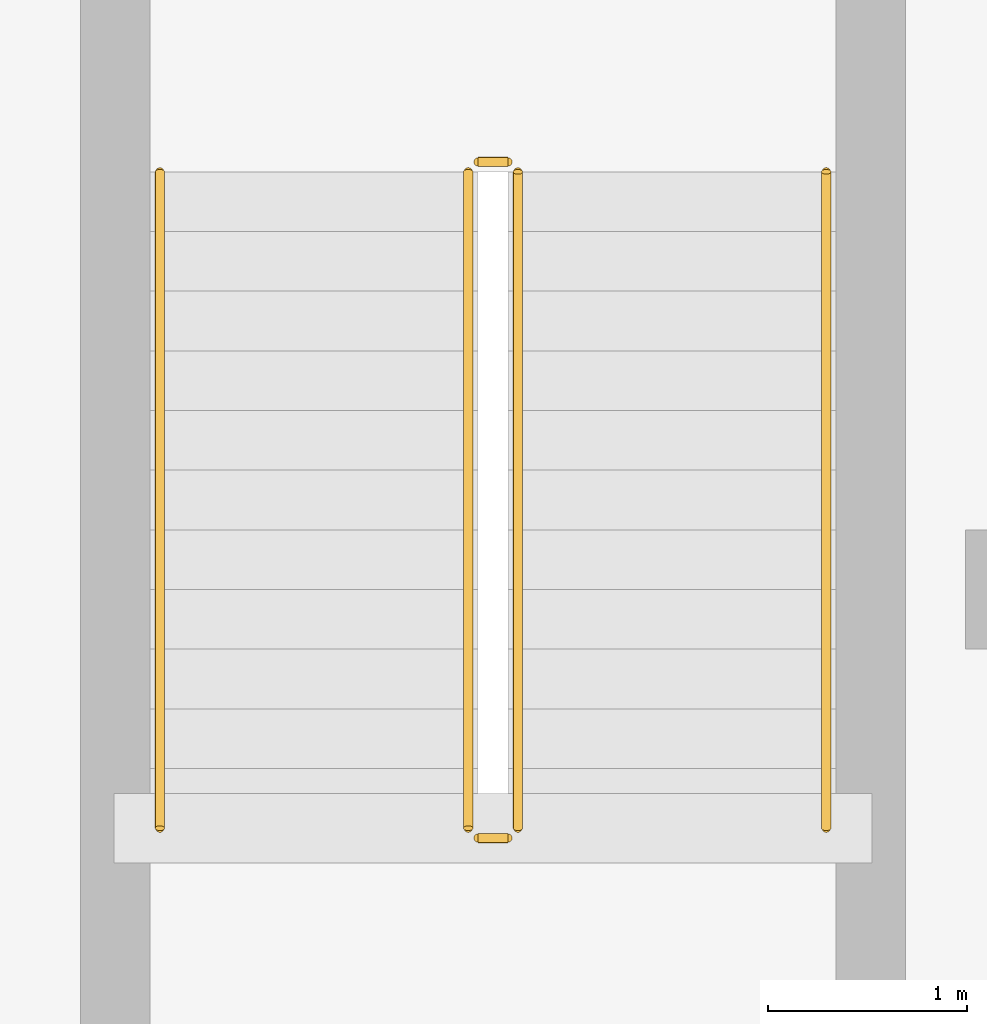
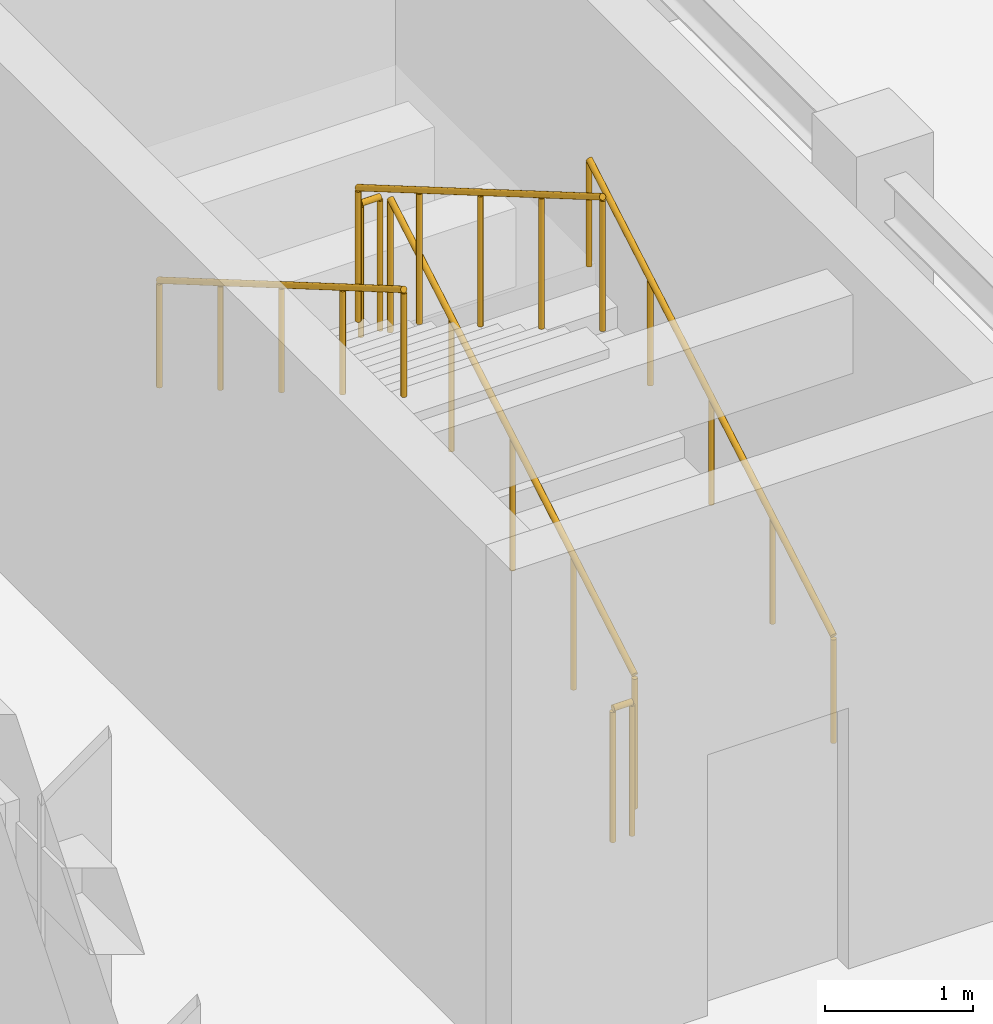
# One storey, part 96 of 104: 6 railings.
"""IFC4 building model written with IfcOpenShell, lengths in metres."""

from ifc_helpers import new_model, si_unit, direction, frame, origin, origin_2d, place, context, subcontext, project, spatial, circle, extrude, material, material_profile, profile_set, type_object, element, save


model = new_model("IFC4")

# Units and contexts
model_context = context("Model", 3, precision=1e-05, world=origin(), true_north=direction((0.0, 1.0)))
body_context = subcontext(model_context, "Body", "Model", "MODEL_VIEW")
ifc_project = project(units=[si_unit("LENGTHUNIT", "METRE"), si_unit("AREAUNIT", "SQUARE_METRE"), si_unit("VOLUMEUNIT", "CUBIC_METRE"), si_unit("PLANEANGLEUNIT", "RADIAN"), si_unit("MASSUNIT", "GRAM", prefix="KILO")], contexts=[model_context])

# Site, building, storey
site_placement = place(None, origin())
site = spatial("IfcSite", under=ifc_project, at=site_placement, CompositionType="ELEMENT")
building_placement = place(site_placement, origin())
building = spatial("IfcBuilding", under=site, at=building_placement, Name="Tazoul Stagehouse", CompositionType="ELEMENT")
storey_placement = place(building_placement, frame((0.0, 0.0, 9.0)))
storey = spatial("IfcBuildingStorey", under=building, at=storey_placement, Name="L02", CompositionType="ELEMENT", Elevation=9.0)

# Railings
ifc_material = material(Name="Brushed Stainless Steel 316L", Category="steel")
ifc_material_profile_1 = material_profile(ifc_material, circle(Radius=0.02392578125, at=origin_2d()), Name="SS RAIL D48")
ifc_profile_set_1 = profile_set([ifc_material_profile_1], Name="Brushed Stainless Steel 316L")
railing_type_1 = type_object("IfcRailingType", Name="Architectural Guardrail H1120", PredefinedType="GUARDRAIL", material=ifc_profile_set_1)
railing_1_placement = place(storey_placement, frame((8.25, 79.39990234375, 0.175048828125)))
element("IfcRailing", 1, at=railing_1_placement, inside=storey, type_object=railing_type_1, Name="L02 ST-06 stair guard 1", PredefinedType="GUARDRAIL", context=body_context, shape_type="SweptSolid", body=[
    extrude(circle(Radius=0.02392578125, at=origin_2d()), frame((0.0, 0.0, 1.09619140625), z_axis=(0.0, 0.863776583165, 0.503874998761), x_axis=(-1.0, 0.0, 0.0)), (0.0, 0.0, 1.0), 3.820556640625),
    extrude(circle(Radius=0.02099609375, at=origin_2d()), origin(), (0.0, 0.0, 1.0), 1.072021484375),
    extrude(circle(Radius=0.02099609375, at=origin_2d()), frame((0.0, 0.824951171875, 0.481201171875)), (0.0, 0.0, 1.0), 1.072021484375),
    extrude(circle(Radius=0.02099609375, at=origin_2d()), frame((0.0, 1.64990234375, 0.96240234375)), (0.0, 0.0, 1.0), 1.072021484375),
    extrude(circle(Radius=0.02099609375, at=origin_2d()), frame((0.0, 2.47509765625, 1.44384765625)), (0.0, 0.0, 1.0), 1.072021484375),
    extrude(circle(Radius=0.02099609375, at=origin_2d()), frame((0.0, 3.300048828125, 1.925048828125)), (0.0, 0.0, 1.0), 1.072021484375),
])
railing_2_placement = place(storey_placement, frame((8.199951171875, 82.75, 2.10009765625)))
element("IfcRailing", 2, at=railing_2_placement, inside=storey, type_object=railing_type_1, Name="L02 ST-06 stair guard 2", PredefinedType="GUARDRAIL", context=body_context, shape_type="SweptSolid", body=[
    extrude(circle(Radius=0.02392578125, at=origin_2d()), frame((0.0, 0.0, 1.09619140625), z_axis=(-1.0, 0.0, 0.0), x_axis=(0.0, -1.0, 0.0)), (0.0, 0.0, 1.0), 0.14990234375),
    extrude(circle(Radius=0.02099609375, at=origin_2d()), origin(), (0.0, 0.0, 1.0), 1.072021484375),
    extrude(circle(Radius=0.02099609375, at=origin_2d()), frame((-0.14990234375, 0.0, 0.0)), (0.0, 0.0, 1.0), 1.072021484375),
])
railing_3_placement = place(storey_placement, frame((8.0, 82.699951171875, 2.27490234375)))
element("IfcRailing", 3, at=railing_3_placement, inside=storey, type_object=railing_type_1, Name="L02 ST-06 stair guard 3", PredefinedType="GUARDRAIL", context=body_context, shape_type="SweptSolid", body=[
    extrude(circle(Radius=0.02392578125, at=origin_2d()), frame((0.0, 0.0, 1.09619140625), z_axis=(0.0, -0.863776583165, 0.503874998761), x_axis=(1.0, 0.0, 0.0)), (0.0, 0.0, 1.0), 3.820556640625),
    extrude(circle(Radius=0.02099609375, at=origin_2d()), origin(), (0.0, 0.0, 1.0), 1.072021484375),
    extrude(circle(Radius=0.02099609375, at=origin_2d()), frame((0.0, -0.824951171875, 0.481201171875)), (0.0, 0.0, 1.0), 1.072021484375),
    extrude(circle(Radius=0.02099609375, at=origin_2d()), frame((0.0, -1.64990234375, 0.96240234375)), (0.0, 0.0, 1.0), 1.072021484375),
    extrude(circle(Radius=0.02099609375, at=origin_2d()), frame((0.0, -2.47509765625, 1.44384765625)), (0.0, 0.0, 1.0), 1.072021484375),
    extrude(circle(Radius=0.02099609375, at=origin_2d()), frame((0.0, -3.300048828125, 1.925048828125)), (0.0, 0.0, 1.0), 1.072021484375),
])
railing_4_placement = place(storey_placement, frame((8.199951171875, 79.35009765625, 0.0)))
element("IfcRailing", 4, at=railing_4_placement, inside=storey, type_object=railing_type_1, Name="L02 ST-06 stair guard 4", PredefinedType="GUARDRAIL", context=body_context, shape_type="SweptSolid", body=[
    extrude(circle(Radius=0.02392578125, at=origin_2d()), frame((0.0, 0.0, 1.09619140625), z_axis=(-1.0, 0.0, 0.0), x_axis=(0.0, -1.0, 0.0)), (0.0, 0.0, 1.0), 0.14990234375),
    extrude(circle(Radius=0.02099609375, at=origin_2d()), origin(), (0.0, 0.0, 1.0), 1.072021484375),
    extrude(circle(Radius=0.02099609375, at=origin_2d()), frame((-0.14990234375, 0.0, 0.0)), (0.0, 0.0, 1.0), 1.072021484375),
])
ifc_material_profile_2 = material_profile(ifc_material, circle(Radius=0.02099609375, at=origin_2d()), Name="SS HANDRAIL D42")
ifc_profile_set_2 = profile_set([ifc_material_profile_2], Name="Brushed Stainless Steel 316L")
railing_type_2 = type_object("IfcRailingType", Name="Continuous Stair Handrail H900", PredefinedType="HANDRAIL", material=ifc_profile_set_2)
railing_5_placement = place(storey_placement, frame((9.800048828125, 79.39990234375, 0.175048828125)))
element("IfcRailing", 5, at=railing_5_placement, inside=storey, type_object=railing_type_2, Name="L02 ST-06 stair handrail 1", PredefinedType="HANDRAIL", context=body_context, shape_type="SweptSolid", body=[
    extrude(circle(Radius=0.02392578125, at=origin_2d()), frame((0.0, 0.0, 0.8759765625), z_axis=(0.0, 0.863776583165, 0.503874998761), x_axis=(-1.0, 0.0, 0.0)), (0.0, 0.0, 1.0), 3.820556640625),
    extrude(circle(Radius=0.02099609375, at=origin_2d()), origin(), (0.0, 0.0, 1.0), 0.851806640625),
    extrude(circle(Radius=0.02099609375, at=origin_2d()), frame((0.0, 0.824951171875, 0.481201171875)), (0.0, 0.0, 1.0), 0.851806640625),
    extrude(circle(Radius=0.02099609375, at=origin_2d()), frame((0.0, 1.64990234375, 0.96240234375)), (0.0, 0.0, 1.0), 0.851806640625),
    extrude(circle(Radius=0.02099609375, at=origin_2d()), frame((0.0, 2.47509765625, 1.44384765625)), (0.0, 0.0, 1.0), 0.851806640625),
    extrude(circle(Radius=0.02099609375, at=origin_2d()), frame((0.0, 3.300048828125, 1.925048828125)), (0.0, 0.0, 1.0), 0.851806640625),
])
railing_6_placement = place(storey_placement, frame((6.449951171875, 82.699951171875, 2.27490234375)))
element("IfcRailing", 6, at=railing_6_placement, inside=storey, type_object=railing_type_2, Name="L02 ST-06 stair handrail 2", PredefinedType="HANDRAIL", context=body_context, shape_type="SweptSolid", body=[
    extrude(circle(Radius=0.02392578125, at=origin_2d()), frame((0.0, 0.0, 0.8759765625), z_axis=(0.0, -0.863776583165, 0.503874998761), x_axis=(1.0, 0.0, 0.0)), (0.0, 0.0, 1.0), 3.820556640625),
    extrude(circle(Radius=0.02099609375, at=origin_2d()), origin(), (0.0, 0.0, 1.0), 0.851806640625),
    extrude(circle(Radius=0.02099609375, at=origin_2d()), frame((0.0, -0.824951171875, 0.481201171875)), (0.0, 0.0, 1.0), 0.851806640625),
    extrude(circle(Radius=0.02099609375, at=origin_2d()), frame((0.0, -1.64990234375, 0.96240234375)), (0.0, 0.0, 1.0), 0.851806640625),
    extrude(circle(Radius=0.02099609375, at=origin_2d()), frame((0.0, -2.47509765625, 1.44384765625)), (0.0, 0.0, 1.0), 0.851806640625),
    extrude(circle(Radius=0.02099609375, at=origin_2d()), frame((0.0, -3.300048828125, 1.925048828125)), (0.0, 0.0, 1.0), 0.851806640625),
])

save(model, "model.ifc")
